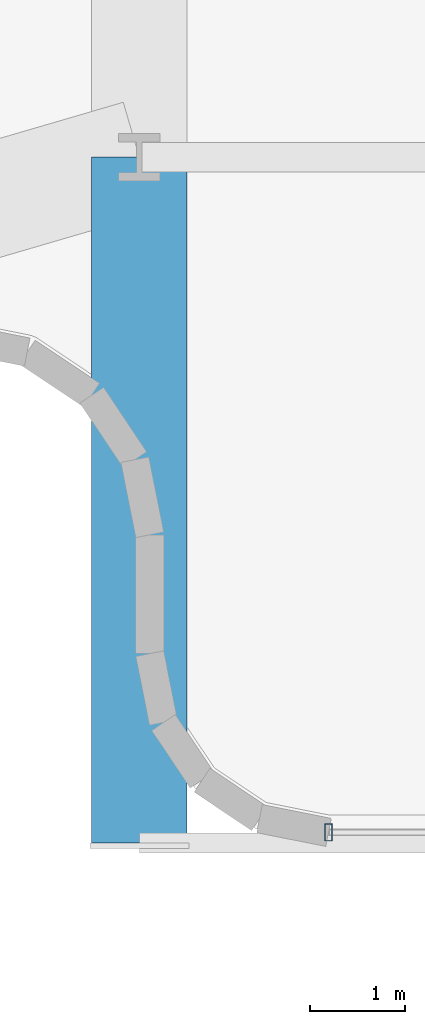
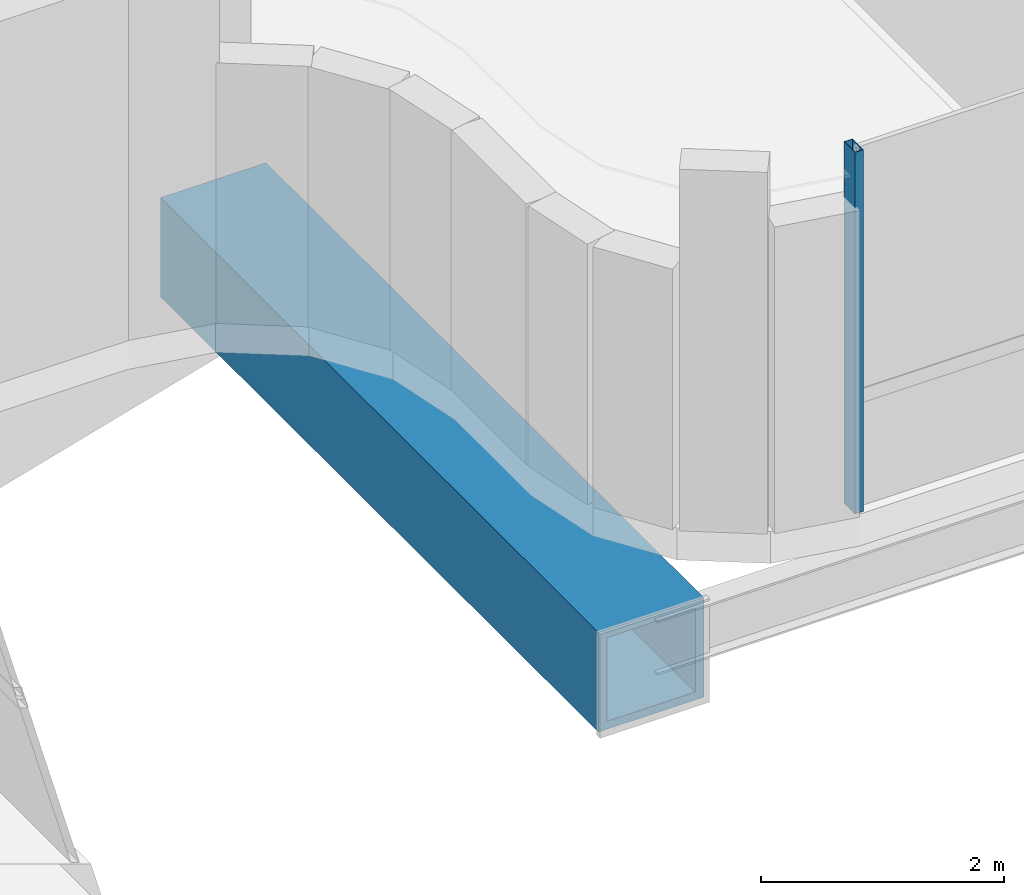
# One storey, part 7 of 37: 1 beam, 1 member, 1 element without a shape of its own.
"""IFC4 building model written with IfcOpenShell, lengths in metres."""

from ifc_helpers import new_model, si_unit, direction, frame, origin, origin_2d, place, context, subcontext, project, spatial, hollow_rectangle, extrude, source, transform, mapped, material, material_profile, profile_set, type_object, element, aggregate, save


model = new_model("IFC4")

# Units and contexts
model_context = context("Model", 3, precision=1e-05, world=origin(), true_north=direction((0.0, 1.0)))
body_context = subcontext(model_context, "Body", "Model", "MODEL_VIEW")
ifc_project = project(units=[si_unit("LENGTHUNIT", "METRE"), si_unit("AREAUNIT", "SQUARE_METRE"), si_unit("VOLUMEUNIT", "CUBIC_METRE"), si_unit("PLANEANGLEUNIT", "RADIAN"), si_unit("MASSUNIT", "GRAM", prefix="KILO")], contexts=[model_context])

# Site, building, storey
site_placement = place(None, origin())
site = spatial("IfcSite", under=ifc_project, at=site_placement, CompositionType="ELEMENT")
building_placement = place(site_placement, origin())
building = spatial("IfcBuilding", under=site, at=building_placement, Name="Valdorenza Pilgrim Sanctuary Tower", CompositionType="ELEMENT")
storey_placement = place(building_placement, frame((0.0, 0.0, 188.39990234375)))
storey = spatial("IfcBuildingStorey", under=building, at=storey_placement, Name="L48", CompositionType="ELEMENT", Elevation=188.39990234375)

# Beam
ifc_material_1 = material(Name="Steel ASTM A572 Grade 42", Category="steel")
ifc_material_profile_1 = material_profile(ifc_material_1, hollow_rectangle(XDim=1.0, YDim=1.0, WallThickness=0.080078125, at=origin_2d()), Name="BOX 1000x1000x80")
ifc_profile_set_1 = profile_set([ifc_material_profile_1], Name="Steel ASTM A572 Grade 42")
beam_type = type_object("IfcBeamType", Name="STR-BM-PROW-CANT", PredefinedType="BEAM", material=ifc_profile_set_1)
shared_shape_1 = source(origin(), body_context, "Body", "SweptSolid", [
    extrude(hollow_rectangle(XDim=1.0, YDim=1.0, WallThickness=0.080078125, at=origin_2d()), origin(), (0.0, 0.0, 1.0), 7.199951171875),
])
beam_placement = place(storey_placement, frame((-3.5, 0.0, -0.81982421875), z_axis=(0.0, -1.0, 0.0), x_axis=(1.0, 0.0, 0.0)))
element("IfcBeam", 1, at=beam_placement, inside=storey, type_object=beam_type, Name="L48 South Sanctuary Prow Cantilever PROW-CANT-S-W", PredefinedType="BEAM", context=body_context, shape_type="MappedRepresentation", body=[
    mapped(shared_shape_1, transform((0.0, 0.0, 0.0), x_axis=(1.0, 0.0, 0.0), y_axis=(0.0, 1.0, 0.0), z_axis=(0.0, 0.0, 1.0), scale=1.0)),
])

# Curtain wall, member
ifc_material_2 = material(Name="Curtain-wall IGU glazing", Category="glass")
curtain_wall_type = type_object("IfcCurtainWallType", Name="CW-SYS-05", PredefinedType="NOTDEFINED", material=ifc_material_2)
curtain_wall_placement = place(storey_placement, origin())
curtain_wall = element("IfcCurtainWall", 2, at=curtain_wall_placement, inside=storey, type_object=curtain_wall_type, Name="L48 Curtain Wall CW-L48-1-62", PredefinedType="NOTDEFINED")
ifc_material_3 = material(Name="Anodised aluminium AW-6060", Category="aluminium")
ifc_material_profile_2 = material_profile(ifc_material_3, hollow_rectangle(XDim=0.080078125, YDim=0.179931640625, WallThickness=0.00439453125, at=origin_2d()), Name="ALU-M 180x80x4.5")
ifc_profile_set_2 = profile_set([ifc_material_profile_2], Name="Anodised aluminium AW-6060")
member_type = type_object("IfcMemberType", Name="CW-MUL-05", PredefinedType="MULLION", material=ifc_profile_set_2)
shared_shape_2 = source(origin(), body_context, "Body", "SweptSolid", [
    extrude(hollow_rectangle(XDim=0.080078125, YDim=0.179931640625, WallThickness=0.00439453125, at=origin_2d()), origin(), (0.0, 0.0, 1.0), 3.630126953125),
])
member_placement = place(storey_placement, frame((-1.51318359375, -7.090087890625, 0.0), z_axis=(0.0, 0.0, 1.0), x_axis=(-1.0, 0.0, 0.0)))
member = element("IfcMember", 3, at=member_placement, type_object=member_type, Name="CW-L48-1-62 Mullion 3", PredefinedType="MULLION", context=body_context, shape_type="MappedRepresentation", body=[
    mapped(shared_shape_2, transform((0.0, 0.0, 0.0), x_axis=(1.0, 0.0, 0.0), y_axis=(0.0, 1.0, 0.0), z_axis=(0.0, 0.0, 1.0), scale=1.0)),
])
aggregate(curtain_wall, [member])

save(model, "model.ifc")
